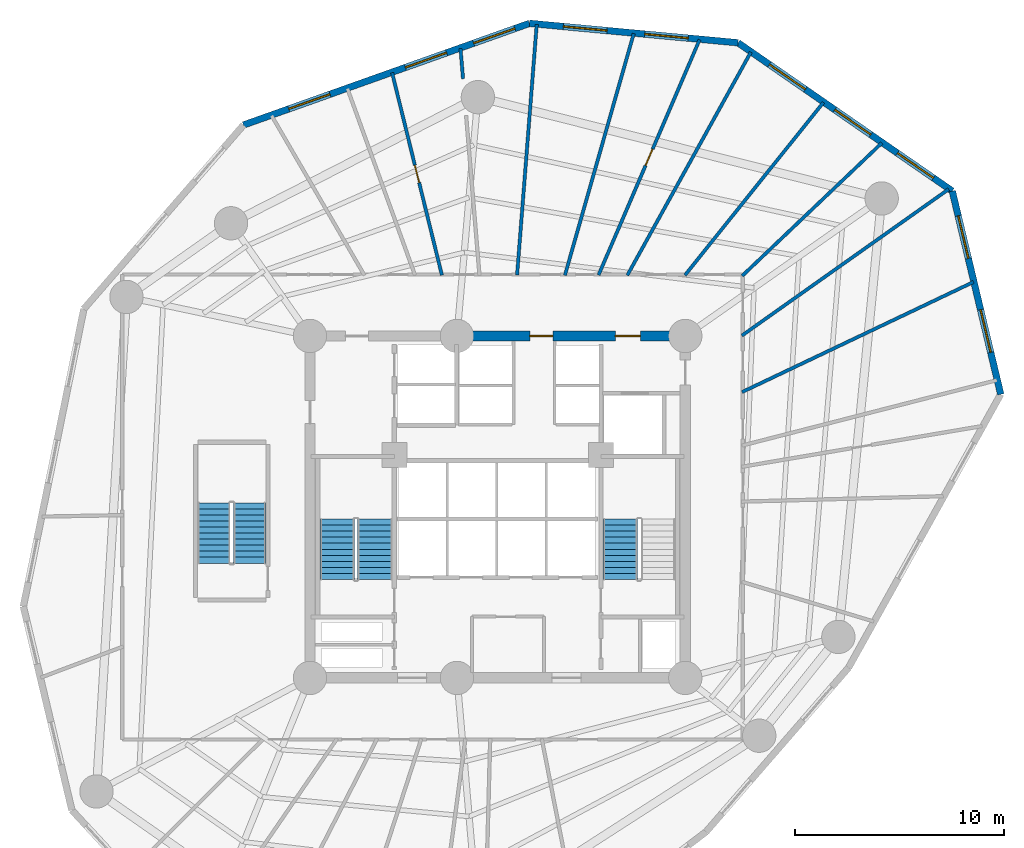
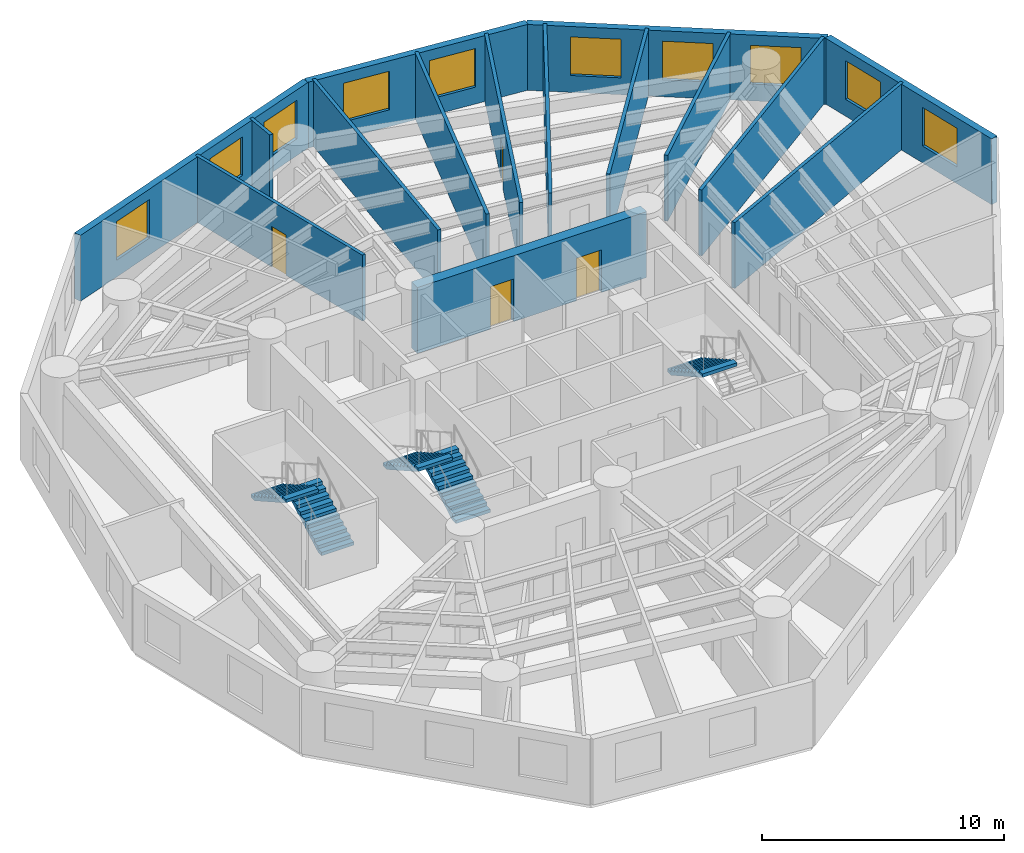
# One storey, part 6 of 8: 15 walls, 10 windows, 5 stair flights, 4 doors, 14 openings, 3 elements without a shape of their own.
"""IFC4 building model written with IfcOpenShell, lengths in metres."""

import ifcopenshell
import ifcopenshell.guid

model = None  # the IFC model being written
_history = None  # IfcOwnerHistory: only IFC2X3 demands one
_inside = {}  # id of a spatial element -> (the spatial element, [elements in it])
_under = {}  # id of a project, library or spatial element -> (it, [spatial elements below it])
_declared = {}  # id of a project -> (the project, [libraries it declares])
_typed = {}  # id of a type object -> (the type object, [elements of that type])
_made_of = {}  # id of a material, layer set ... -> (it, [elements and type objects made of it])


def new_model(schema):
    """Start an empty IFC model of exactly this schema.

    Asked for "IFC4X3", IfcOpenShell would pick the latest addendum, in which some entities
    have other attributes; the version numbers below select the first issue.
    IFC2X3 requires an IfcOwnerHistory on every rooted entity: one is made here for all.
    """
    global model, _history
    if schema == "IFC4X3":
        model = ifcopenshell.file(schema_version=(4, 3, 0, 0))
    else:
        model = ifcopenshell.file(schema=schema)
    _inside.clear()
    _under.clear()
    _declared.clear()
    _typed.clear()
    _made_of.clear()
    _history = None
    if model.schema == "IFC2X3":
        org = make("IfcOrganization", Name="unknown")
        user = make(
            "IfcPersonAndOrganization",
            ThePerson=make("IfcPerson", FamilyName="unknown"),
            TheOrganization=org,
        )
        app = make(
            "IfcApplication",
            ApplicationDeveloper=org,
            Version="unknown",
            ApplicationFullName="unknown",
            ApplicationIdentifier="unknown",
        )
        _history = make(
            "IfcOwnerHistory",
            OwningUser=user,
            OwningApplication=app,
            ChangeAction="ADDED",
            CreationDate=0,
        )
    return model


def make(cls, **values):
    """One entity of the class cls with the attributes given. An attribute that is None is left unset."""
    return model.create_entity(
        cls, **{name: value for name, value in values.items() if value is not None}
    )


def rooted(cls, **values):
    """An entity with a GlobalId (a new one), such as an element, a storey or a relation."""
    return make(cls, GlobalId=ifcopenshell.guid.new(), OwnerHistory=_history, **values)


def si_unit(unit_type, name, prefix=None):
    """IfcSIUnit, for example si_unit("LENGTHUNIT", "METRE", prefix="MILLI")."""
    return make("IfcSIUnit", UnitType=unit_type, Prefix=prefix, Name=name)


def assignment(units):
    """IfcUnitAssignment: the units of a project."""
    return None if units is None else make("IfcUnitAssignment", Units=units)


def point(xyz):
    """IfcCartesianPoint."""
    return None if xyz is None else make("IfcCartesianPoint", Coordinates=xyz)


def direction(xyz):
    """IfcDirection."""
    return None if xyz is None else make("IfcDirection", DirectionRatios=xyz)


def frame(location, z_axis=None, x_axis=None):
    """IfcAxis2Placement3D, a coordinate frame: its origin and axes. An axis left out is left unset."""
    return make(
        "IfcAxis2Placement3D",
        Location=point(location),
        Axis=direction(z_axis),
        RefDirection=direction(x_axis),
    )


def frame_2d(location, x_axis=None):
    """IfcAxis2Placement2D, a coordinate frame in the plane: its origin and x axis."""
    return make(
        "IfcAxis2Placement2D", Location=point(location), RefDirection=direction(x_axis)
    )


def origin():
    """The frame at (0, 0, 0) with its axes left unset."""
    return frame((0.0, 0.0, 0.0))


def origin_with_axes():
    """The frame at (0, 0, 0) with the z axis (0, 0, 1) and the x axis (1, 0, 0) written out."""
    return frame((0.0, 0.0, 0.0), z_axis=(0.0, 0.0, 1.0), x_axis=(1.0, 0.0, 0.0))


def place(relative_to, where):
    """IfcLocalPlacement: puts the frame where relative to a parent placement (None: the world)."""
    return make(
        "IfcLocalPlacement", PlacementRelTo=relative_to, RelativePlacement=where
    )


def context(
    kind, dimensions, precision=None, world=None, true_north=None, identifier=None
):
    """IfcGeometricRepresentationContext, for example the 3D "Model" context."""
    return make(
        "IfcGeometricRepresentationContext",
        ContextIdentifier=identifier,
        ContextType=kind,
        CoordinateSpaceDimension=dimensions,
        Precision=precision,
        WorldCoordinateSystem=world,
        TrueNorth=true_north,
    )


def subcontext(parent, identifier, kind, view, scale=None):
    """IfcGeometricRepresentationSubContext, for example "Body" below "Model"."""
    return make(
        "IfcGeometricRepresentationSubContext",
        ContextIdentifier=identifier,
        ContextType=kind,
        ParentContext=parent,
        TargetScale=scale,
        TargetView=view,
    )


def project(units=None, contexts=None):
    """IfcProject with its units and contexts."""
    return rooted(
        "IfcProject",
        Name="project",
        RepresentationContexts=contexts,
        UnitsInContext=assignment(units),
    )


def spatial(cls, under=None, at=None, **own):
    """A site, building, storey or space (cls), placed at a placement, below another one or the project."""
    s = rooted(cls, ObjectPlacement=at, **own)
    if under is not None:
        _under.setdefault(under.id(), (under, []))[1].append(s)
    return s


def polyline(points):
    """IfcPolyline through the points."""
    return make("IfcPolyline", Points=[point(p) for p in points])


def profile(cls, at=None, kind="AREA", **sizes):
    """A parametric profile (cls). Its sizes go by their IFC names, for example OverallWidth=200.0."""
    return make(cls, ProfileType=kind, Position=at, **sizes)


def rectangle(**sizes):
    """IfcRectangleProfileDef."""
    return profile("IfcRectangleProfileDef", **sizes)


def outline(outer, holes=None, kind="AREA"):
    """IfcArbitraryClosedProfileDef: a profile drawn as a closed curve; with holes, ...WithVoids."""
    if holes is None:
        return make("IfcArbitraryClosedProfileDef", ProfileType=kind, OuterCurve=outer)
    return make(
        "IfcArbitraryProfileDefWithVoids",
        ProfileType=kind,
        OuterCurve=outer,
        InnerCurves=holes,
    )


def extrude(swept, where, along, depth):
    """IfcExtrudedAreaSolid: the profile swept, set in the frame where, extruded along a direction by depth."""
    return make(
        "IfcExtrudedAreaSolid",
        SweptArea=swept,
        Position=where,
        ExtrudedDirection=direction(along),
        Depth=depth,
    )


def shape(context_of_items, identifier, shape_type, items):
    """IfcShapeRepresentation: the items that make up one representation, for example the "Body"."""
    return make(
        "IfcShapeRepresentation",
        ContextOfItems=context_of_items,
        RepresentationIdentifier=identifier,
        RepresentationType=shape_type,
        Items=items,
    )


def source(mapping_origin, context_of_items, identifier, shape_type, items):
    """IfcRepresentationMap: a shape defined once, which mapped items show again and again."""
    return make(
        "IfcRepresentationMap",
        MappingOrigin=mapping_origin,
        MappedRepresentation=shape(context_of_items, identifier, shape_type, items),
    )


def transform(
    local_origin,
    x_axis=None,
    y_axis=None,
    z_axis=None,
    scale=None,
    scale2=None,
    scale3=None,
    uniform=True,
):
    """IfcCartesianTransformationOperator3D, or its non-uniform kind. x_axis, y_axis, z_axis: its Axis1, 2, 3."""
    if uniform:
        return make(
            "IfcCartesianTransformationOperator3D",
            Axis1=direction(x_axis),
            Axis2=direction(y_axis),
            LocalOrigin=point(local_origin),
            Scale=scale,
            Axis3=direction(z_axis),
        )
    return make(
        "IfcCartesianTransformationOperator3DnonUniform",
        Axis1=direction(x_axis),
        Axis2=direction(y_axis),
        LocalOrigin=point(local_origin),
        Scale=scale,
        Axis3=direction(z_axis),
        Scale2=scale2,
        Scale3=scale3,
    )


def mapped(mapping_source, mapping_target):
    """IfcMappedItem: shows the shape of a source again, moved by a transform."""
    return make(
        "IfcMappedItem", MappingSource=mapping_source, MappingTarget=mapping_target
    )


def material(Name=None, Category=None):
    """IfcMaterial."""
    return make("IfcMaterial", Name=Name, Category=Category)


def layer(
    of_material, thickness, ventilated=None, Name=None, Category=None, Priority=None
):
    """IfcMaterialLayer: one layer of a wall or slab, of a material (None: an air gap)."""
    return make(
        "IfcMaterialLayer",
        Material=of_material,
        LayerThickness=thickness,
        IsVentilated=ventilated,
        Name=Name,
        Category=Category,
        Priority=Priority,
    )


def layer_set(layers, Name=None):
    """IfcMaterialLayerSet."""
    return make("IfcMaterialLayerSet", MaterialLayers=layers, LayerSetName=Name)


def made_of(thing, what):
    """Note that an element or type object is made of a material, layer set ...; save() writes the relation."""
    if what is not None:
        _made_of.setdefault(what.id(), (what, []))[1].append(thing)
    return thing


def type_object(cls, material=None, **own):
    """A type object (cls), such as IfcWallType, which elements share."""
    return made_of(rooted(cls, **own), material)


def element(
    cls,
    number,
    at=None,
    inside=None,
    cuts=None,
    type_object=None,
    material=None,
    context=None,
    identifier="Body",
    shape_type=None,
    held_by="IfcProductDefinitionShape",
    body=None,
    shapes=None,
    **own,
):
    """One element of the class cls, such as IfcWall. Its Tag is "e" and its number.

    at: its placement. inside: the storey or other place that contains it. cuts: it is an
    opening in that element (IfcRelVoidsElement). A single representation is given by context,
    identifier, shape_type and body (its items); several are given by shapes. held_by: the class
    of the entity that holds the representations. save() writes the other relations.
    """
    e = rooted(cls, Tag="e%d" % number, ObjectPlacement=at, **own)
    if body is not None:
        shapes = [shape(context, identifier, shape_type, body)]
    if shapes is not None:
        e.Representation = make(held_by, Representations=shapes)
    if inside is not None:
        _inside.setdefault(inside.id(), (inside, []))[1].append(e)
    if cuts is not None:
        rooted(
            "IfcRelVoidsElement", RelatingBuildingElement=cuts, RelatedOpeningElement=e
        )
    if type_object is not None:
        _typed.setdefault(type_object.id(), (type_object, []))[1].append(e)
    return made_of(e, material)


def fill(opening, filler):
    """IfcRelFillsElement: the door or window that sits in an opening."""
    return rooted(
        "IfcRelFillsElement",
        RelatingOpeningElement=opening,
        RelatedBuildingElement=filler,
    )


def aggregate(whole, parts):
    """IfcRelAggregates: a whole, such as a stair, and the parts it consists of."""
    return rooted("IfcRelAggregates", RelatingObject=whole, RelatedObjects=parts)


def save(model, path):
    """Write the relations noted so far, then the file.

    IfcRelAggregates (storeys below a building ...), IfcRelContainedInSpatialStructure (elements
    in a storey), IfcRelDefinesByType, IfcRelAssociatesMaterial and IfcRelDeclares: one each for
    every whole, place, type object, material and project.
    """
    for whole, parts in _under.values():
        aggregate(whole, parts)
    for where, things in _inside.values():
        rooted(
            "IfcRelContainedInSpatialStructure",
            RelatedElements=things,
            RelatingStructure=where,
        )
    for kind, things in _typed.values():
        rooted("IfcRelDefinesByType", RelatedObjects=things, RelatingType=kind)
    for what, things in _made_of.values():
        rooted("IfcRelAssociatesMaterial", RelatedObjects=things, RelatingMaterial=what)
    for by, libraries in _declared.values():
        rooted("IfcRelDeclares", RelatingContext=by, RelatedDefinitions=libraries)
    model.write(path)


model = new_model("IFC4")

# Units and contexts
model_context = context("Model", 3, precision=1e-05, world=origin(), true_north=direction((0.0, 1.0)))
body_context = subcontext(model_context, "Body", "Model", "MODEL_VIEW")
ifc_project = project(units=[si_unit("LENGTHUNIT", "METRE"), si_unit("AREAUNIT", "SQUARE_METRE"), si_unit("VOLUMEUNIT", "CUBIC_METRE"), si_unit("PLANEANGLEUNIT", "RADIAN"), si_unit("MASSUNIT", "GRAM", prefix="KILO")], contexts=[model_context])

# Site, building, storey
site_placement = place(None, origin())
site = spatial("IfcSite", under=ifc_project, at=site_placement, CompositionType="ELEMENT")
building_placement = place(site_placement, origin())
building = spatial("IfcBuilding", under=site, at=building_placement, Name="Karkom Vertical University and Central Library", CompositionType="ELEMENT")
storey_placement = place(building_placement, frame((0.0, 0.0, 84.10009765625)))
storey = spatial("IfcBuildingStorey", under=building, at=storey_placement, Name="L22", CompositionType="ELEMENT", Elevation=84.10009765625)

# Wall, openings, windows
ifc_material_1 = material(Name="Brick-faced precast concrete C45/55", Category="masonry")
ifc_layer_1 = layer(ifc_material_1, 0.320068359375)
ifc_layer_set_1 = layer_set([ifc_layer_1], Name="Brick-faced precast concrete C45/55")
wall_type_1 = type_object("IfcWallType", Name="ENV-WL-BRK-320", PredefinedType="SOLIDWALL", material=ifc_layer_set_1)
wall_1_placement = place(storey_placement, frame((52.63037109375, 31.9013671875, 0.0), z_axis=(0.0, 0.0, 1.0), x_axis=(-0.231781859675, 0.97276778808, 0.0)))
wall_1 = element("IfcWall", 1, at=wall_1_placement, inside=storey, type_object=wall_type_1, Name="Level 22 Brick-Faced Precast Facade Wall 09", PredefinedType="SOLIDWALL", context=body_context, shape_type="SweptSolid", body=[
    extrude(rectangle(XDim=10.0244140625, YDim=0.320068359375, at=frame_2d((5.01220703125, 0.0))), origin(), (0.0, 0.0, 1.0), 3.324951171875),
])
opening_1_placement = place(wall_1_placement, frame((2.0703125, 0.0, 0.85009765625)))
opening_1 = element("IfcOpeningElement", 2, at=opening_1_placement, cuts=wall_1, Name="Opening WN-03", PredefinedType="OPENING", context=body_context, shape_type="SweptSolid", body=[
    extrude(rectangle(XDim=2.10009765625, YDim=1.949951171875, at=frame_2d((1.050048828125, 0.97509765625))), frame((0.0, 0.169921875, 0.0), z_axis=(0.0, -1.0, 0.0), x_axis=(1.0, 0.0, 0.0)), (0.0, 0.0, 1.0), 0.340087890625),
])
opening_2_placement = place(wall_1_placement, frame((6.70068359375, 0.0, 0.85009765625)))
opening_2 = element("IfcOpeningElement", 3, at=opening_2_placement, cuts=wall_1, Name="Opening WN-03", PredefinedType="OPENING", context=body_context, shape_type="SweptSolid", body=[
    extrude(rectangle(XDim=2.10009765625, YDim=1.949951171875, at=frame_2d((1.050048828125, 0.97509765625))), frame((0.0, 0.169921875, 0.0), z_axis=(0.0, -1.0, 0.0), x_axis=(1.0, 0.0, 0.0)), (0.0, 0.0, 1.0), 0.340087890625),
])
ifc_material_2 = material(Name="Aluminium thermal-break frame with solar-control IGU", Category="aluminium")
window_type = type_object("IfcWindowType", Name="ENV-WIN-WN-03", PartitioningType="SINGLE_PANEL", PredefinedType="WINDOW", material=ifc_material_2)
shared_shape_1 = source(origin_with_axes(), body_context, "Body", "SweptSolid", [
    extrude(rectangle(XDim=2.10009765625, YDim=1.949951171875, at=frame_2d((1.050048828125, 0.97509765625))), frame((0.0, 0.030029296875, 0.0), z_axis=(0.0, -1.0, 0.0), x_axis=(1.0, 0.0, 0.0)), (0.0, 0.0, 1.0), 0.06005859375),
])
window_1_placement = place(opening_1_placement, origin())
window_1 = element("IfcWindow", 4, at=window_1_placement, inside=storey, type_object=window_type, Name="Level 22 Punched Window 9.1", OverallHeight=1.949951171875, OverallWidth=2.10009765625, PartitioningType="SINGLE_PANEL", PredefinedType="WINDOW", context=body_context, shape_type="MappedRepresentation", body=[
    mapped(shared_shape_1, transform((0.0, 0.0, 0.0), scale=1.0)),
])
fill(opening_1, window_1)
window_2_placement = place(opening_2_placement, origin())
window_2 = element("IfcWindow", 5, at=window_2_placement, inside=storey, type_object=window_type, Name="Level 22 Punched Window 9.2", OverallHeight=1.949951171875, OverallWidth=2.10009765625, PartitioningType="SINGLE_PANEL", PredefinedType="WINDOW", context=body_context, shape_type="MappedRepresentation", body=[
    mapped(shared_shape_1, transform((0.0, 0.0, 0.0), scale=1.0)),
])
fill(opening_2, window_2)

wall_2_placement = place(storey_placement, frame((50.306884765625, 41.65283203125, 0.0), z_axis=(0.0, 0.0, 1.0), x_axis=(-0.822301884345, 0.569051501187, 0.0)))
wall_2 = element("IfcWall", 6, at=wall_2_placement, inside=storey, type_object=wall_type_1, Name="Level 22 Brick-Faced Precast Facade Wall 10", PredefinedType="SOLIDWALL", context=body_context, shape_type="SweptSolid", body=[
    extrude(rectangle(XDim=12.49755859375, YDim=0.320068359375, at=frame_2d((6.248779296875, 0.0))), origin(), (0.0, 0.0, 1.0), 3.324951171875),
])
opening_3_placement = place(wall_2_placement, frame((1.102294921875, 0.0, 0.85009765625)))
opening_3 = element("IfcOpeningElement", 7, at=opening_3_placement, cuts=wall_2, Name="Opening WN-03", PredefinedType="OPENING", context=body_context, shape_type="SweptSolid", body=[
    extrude(rectangle(XDim=2.10009765625, YDim=1.949951171875, at=frame_2d((1.050048828125, 0.97509765625))), frame((0.0, 0.169921875, 0.0), z_axis=(0.0, -1.0, 0.0), x_axis=(1.0, 0.0, 0.0)), (0.0, 0.0, 1.0), 0.340087890625),
])
opening_4_placement = place(wall_2_placement, frame((4.7509765625, 0.0, 0.85009765625)))
opening_4 = element("IfcOpeningElement", 8, at=opening_4_placement, cuts=wall_2, Name="Opening WN-03", PredefinedType="OPENING", context=body_context, shape_type="SweptSolid", body=[
    extrude(rectangle(XDim=2.10009765625, YDim=1.949951171875, at=frame_2d((1.050048828125, 0.97509765625))), frame((0.0, 0.169921875, 0.0), z_axis=(0.0, -1.0, 0.0), x_axis=(1.0, 0.0, 0.0)), (0.0, 0.0, 1.0), 0.340087890625),
])
opening_5_placement = place(wall_2_placement, frame((8.567626953125, 0.0, 0.85009765625)))
opening_5 = element("IfcOpeningElement", 9, at=opening_5_placement, cuts=wall_2, Name="Opening WN-03", PredefinedType="OPENING", context=body_context, shape_type="SweptSolid", body=[
    extrude(rectangle(XDim=2.10009765625, YDim=1.949951171875, at=frame_2d((1.050048828125, 0.97509765625))), frame((0.0, 0.169921875, 0.0), z_axis=(0.0, -1.0, 0.0), x_axis=(1.0, 0.0, 0.0)), (0.0, 0.0, 1.0), 0.340087890625),
])
window_3_placement = place(opening_3_placement, origin())
window_3 = element("IfcWindow", 10, at=window_3_placement, inside=storey, type_object=window_type, Name="Level 22 Punched Window 10.1", OverallHeight=1.949951171875, OverallWidth=2.10009765625, PartitioningType="SINGLE_PANEL", PredefinedType="WINDOW", context=body_context, shape_type="MappedRepresentation", body=[
    mapped(shared_shape_1, transform((0.0, 0.0, 0.0), scale=1.0)),
])
fill(opening_3, window_3)
window_4_placement = place(opening_4_placement, origin())
window_4 = element("IfcWindow", 11, at=window_4_placement, inside=storey, type_object=window_type, Name="Level 22 Punched Window 10.2", OverallHeight=1.949951171875, OverallWidth=2.10009765625, PartitioningType="SINGLE_PANEL", PredefinedType="WINDOW", context=body_context, shape_type="MappedRepresentation", body=[
    mapped(shared_shape_1, transform((0.0, 0.0, 0.0), scale=1.0)),
])
fill(opening_4, window_4)
window_5_placement = place(opening_5_placement, origin())
window_5 = element("IfcWindow", 12, at=window_5_placement, inside=storey, type_object=window_type, Name="Level 22 Punched Window 10.3", OverallHeight=1.949951171875, OverallWidth=2.10009765625, PartitioningType="SINGLE_PANEL", PredefinedType="WINDOW", context=body_context, shape_type="MappedRepresentation", body=[
    mapped(shared_shape_1, transform((0.0, 0.0, 0.0), scale=1.0)),
])
fill(opening_5, window_5)

wall_3_placement = place(storey_placement, frame((40.030029296875, 48.7646484375, 0.0), z_axis=(0.0, 0.0, 1.0), x_axis=(-0.995690576349, 0.092737673949, 0.0)))
wall_3 = element("IfcWall", 13, at=wall_3_placement, inside=storey, type_object=wall_type_1, Name="Level 22 Brick-Faced Precast Facade Wall 11", PredefinedType="SOLIDWALL", context=body_context, shape_type="SweptSolid", body=[
    extrude(rectangle(XDim=10.0458984375, YDim=0.320068359375, at=frame_2d((5.02294921875, 0.0))), origin(), (0.0, 0.0, 1.0), 3.324951171875),
])
opening_6_placement = place(wall_3_placement, frame((2.39404296875, 0.0, 0.85009765625)))
opening_6 = element("IfcOpeningElement", 14, at=opening_6_placement, cuts=wall_3, Name="Opening WN-03", PredefinedType="OPENING", context=body_context, shape_type="SweptSolid", body=[
    extrude(rectangle(XDim=2.10009765625, YDim=1.949951171875, at=frame_2d((1.050048828125, 0.97509765625))), frame((0.0, 0.169921875, 0.0), z_axis=(0.0, -1.0, 0.0), x_axis=(1.0, 0.0, 0.0)), (0.0, 0.0, 1.0), 0.340087890625),
])
opening_7_placement = place(wall_3_placement, frame((6.310546875, 0.0, 0.85009765625)))
opening_7 = element("IfcOpeningElement", 15, at=opening_7_placement, cuts=wall_3, Name="Opening WN-03", PredefinedType="OPENING", context=body_context, shape_type="SweptSolid", body=[
    extrude(rectangle(XDim=2.10009765625, YDim=1.949951171875, at=frame_2d((1.050048828125, 0.97509765625))), frame((0.0, 0.169921875, 0.0), z_axis=(0.0, -1.0, 0.0), x_axis=(1.0, 0.0, 0.0)), (0.0, 0.0, 1.0), 0.340087890625),
])
window_6_placement = place(opening_6_placement, origin())
window_6 = element("IfcWindow", 16, at=window_6_placement, inside=storey, type_object=window_type, Name="Level 22 Punched Window 11.1", OverallHeight=1.949951171875, OverallWidth=2.10009765625, PartitioningType="SINGLE_PANEL", PredefinedType="WINDOW", context=body_context, shape_type="MappedRepresentation", body=[
    mapped(shared_shape_1, transform((0.0, 0.0, 0.0), scale=1.0)),
])
fill(opening_6, window_6)
window_7_placement = place(opening_7_placement, origin())
window_7 = element("IfcWindow", 17, at=window_7_placement, inside=storey, type_object=window_type, Name="Level 22 Punched Window 11.2", OverallHeight=1.949951171875, OverallWidth=2.10009765625, PartitioningType="SINGLE_PANEL", PredefinedType="WINDOW", context=body_context, shape_type="MappedRepresentation", body=[
    mapped(shared_shape_1, transform((0.0, 0.0, 0.0), scale=1.0)),
])
fill(opening_7, window_7)

wall_4_placement = place(storey_placement, frame((30.02734375, 49.6962890625, 0.0), z_axis=(0.0, 0.0, 1.0), x_axis=(-0.942240443112, -0.334937228991, 0.0)))
wall_4 = element("IfcWall", 18, at=wall_4_placement, inside=storey, type_object=wall_type_1, Name="Level 22 Brick-Faced Precast Facade Wall 12", PredefinedType="SOLIDWALL", context=body_context, shape_type="SweptSolid", body=[
    extrude(rectangle(XDim=14.5615234375, YDim=0.320068359375, at=frame_2d((7.28076171875, 0.0))), origin(), (0.0, 0.0, 1.0), 3.324951171875),
])
opening_8_placement = place(wall_4_placement, frame((0.74462890625, 0.0, 0.85009765625)))
opening_8 = element("IfcOpeningElement", 19, at=opening_8_placement, cuts=wall_4, Name="Opening WN-03", PredefinedType="OPENING", context=body_context, shape_type="SweptSolid", body=[
    extrude(rectangle(XDim=2.10009765625, YDim=1.949951171875, at=frame_2d((1.050048828125, 0.97509765625))), frame((0.0, 0.169921875, 0.0), z_axis=(0.0, -1.0, 0.0), x_axis=(1.0, 0.0, 0.0)), (0.0, 0.0, 1.0), 0.340087890625),
])
opening_9_placement = place(wall_4_placement, frame((4.21728515625, 0.0, 0.85009765625)))
opening_9 = element("IfcOpeningElement", 20, at=opening_9_placement, cuts=wall_4, Name="Opening WN-03", PredefinedType="OPENING", context=body_context, shape_type="SweptSolid", body=[
    extrude(rectangle(XDim=2.10009765625, YDim=1.949951171875, at=frame_2d((1.050048828125, 0.97509765625))), frame((0.0, 0.169921875, 0.0), z_axis=(0.0, -1.0, 0.0), x_axis=(1.0, 0.0, 0.0)), (0.0, 0.0, 1.0), 0.340087890625),
])
opening_10_placement = place(wall_4_placement, frame((10.153076171875, 0.0, 0.85009765625)))
opening_10 = element("IfcOpeningElement", 21, at=opening_10_placement, cuts=wall_4, Name="Opening WN-03", PredefinedType="OPENING", context=body_context, shape_type="SweptSolid", body=[
    extrude(rectangle(XDim=2.10009765625, YDim=1.949951171875, at=frame_2d((1.050048828125, 0.97509765625))), frame((0.0, 0.169921875, 0.0), z_axis=(0.0, -1.0, 0.0), x_axis=(1.0, 0.0, 0.0)), (0.0, 0.0, 1.0), 0.340087890625),
])
window_8_placement = place(opening_8_placement, origin())
window_8 = element("IfcWindow", 22, at=window_8_placement, inside=storey, type_object=window_type, Name="Level 22 Punched Window 12.1", OverallHeight=1.949951171875, OverallWidth=2.10009765625, PartitioningType="SINGLE_PANEL", PredefinedType="WINDOW", context=body_context, shape_type="MappedRepresentation", body=[
    mapped(shared_shape_1, transform((0.0, 0.0, 0.0), scale=1.0)),
])
fill(opening_8, window_8)
window_9_placement = place(opening_9_placement, origin())
window_9 = element("IfcWindow", 23, at=window_9_placement, inside=storey, type_object=window_type, Name="Level 22 Punched Window 12.2", OverallHeight=1.949951171875, OverallWidth=2.10009765625, PartitioningType="SINGLE_PANEL", PredefinedType="WINDOW", context=body_context, shape_type="MappedRepresentation", body=[
    mapped(shared_shape_1, transform((0.0, 0.0, 0.0), scale=1.0)),
])
fill(opening_9, window_9)
window_10_placement = place(opening_10_placement, origin())
window_10 = element("IfcWindow", 24, at=window_10_placement, inside=storey, type_object=window_type, Name="Level 22 Punched Window 12.3", OverallHeight=1.949951171875, OverallWidth=2.10009765625, PartitioningType="SINGLE_PANEL", PredefinedType="WINDOW", context=body_context, shape_type="MappedRepresentation", body=[
    mapped(shared_shape_1, transform((0.0, 0.0, 0.0), scale=1.0)),
])
fill(opening_10, window_10)

# Wall
ifc_material_3 = material(Name="Insulated metal-stud drywall 160mm", Category="gypsum")
ifc_layer_2 = layer(ifc_material_3, 0.159912109375)
ifc_layer_set_2 = layer_set([ifc_layer_2], Name="Insulated metal-stud drywall 160mm")
wall_type_2 = type_object("IfcWallType", Name="INT-WL-COR-160", PredefinedType="PARTITIONING", material=ifc_layer_set_2)
wall_5_placement = place(storey_placement, frame((40.222900390625, 32.010009765625, 0.0), z_axis=(0.0, 0.0, 1.0), x_axis=(0.903036353233, 0.429564133443, 0.0)))
element("IfcWall", 25, at=wall_5_placement, inside=storey, type_object=wall_type_2, Name="Level 22 Interior Partition Wall L22-PW-016", PredefinedType="PARTITIONING", context=body_context, shape_type="SweptSolid", body=[
    extrude(rectangle(XDim=12.2880859375, YDim=0.159912109375, at=frame_2d((6.14404296875, 0.0))), origin(), (0.0, 0.0, 1.0), 3.324951171875),
])

# Wall, opening, door
wall_6_placement = place(storey_placement, frame((33.34033203125, 37.622314453125, 0.0), z_axis=(0.0, 0.0, 1.0), x_axis=(0.394497394223, 0.918897059496, 0.0)))
wall_6 = element("IfcWall", 26, at=wall_6_placement, inside=storey, type_object=wall_type_2, Name="Level 22 Interior Partition Wall L22-PW-021", PredefinedType="PARTITIONING", context=body_context, shape_type="SweptSolid", body=[
    extrude(rectangle(XDim=12.281982421875, YDim=0.159912109375, at=frame_2d((6.14111328125, 0.0))), origin(), (0.0, 0.0, 1.0), 3.324951171875),
])
opening_11_placement = place(wall_6_placement, frame((5.7109375, 0.0, 0.0)))
opening_11 = element("IfcOpeningElement", 27, at=opening_11_placement, cuts=wall_6, Name="Opening FD-BTH2", PredefinedType="OPENING", context=body_context, shape_type="SweptSolid", body=[
    extrude(rectangle(XDim=0.860107421875, YDim=2.0400390625, at=frame_2d((0.43017578125, 1.02001953125))), frame((0.0, 0.08984375, 0.0), z_axis=(0.0, -1.0, 0.0), x_axis=(1.0, 0.0, 0.0)), (0.0, 0.0, 1.0), 0.179931640625),
])
ifc_material_4 = material(Name="Fire-rated moisture-resistant oak door", Category="wood")
door_type_1 = type_object("IfcDoorType", Name="INT-DR-FBTH2", OperationType="NOTDEFINED", PredefinedType="DOOR", material=ifc_material_4)
shared_shape_2 = source(origin_with_axes(), body_context, "Body", "SweptSolid", [
    extrude(rectangle(XDim=0.860107421875, YDim=2.0400390625, at=frame_2d((0.43017578125, 1.02001953125))), frame((0.0, 0.02490234375, 0.0), z_axis=(0.0, -1.0, 0.0), x_axis=(1.0, 0.0, 0.0)), (0.0, 0.0, 1.0), 0.050048828125),
])
door_1_placement = place(opening_11_placement, origin())
door_1 = element("IfcDoor", 28, at=door_1_placement, inside=storey, type_object=door_type_1, Name="Level 22 Academic Collaborative Study Lounge Entry Door", OperationType="SINGLE_SWING_LEFT", OverallHeight=2.0400390625, OverallWidth=0.860107421875, PredefinedType="DOOR", context=body_context, shape_type="MappedRepresentation", body=[
    mapped(shared_shape_2, transform((0.0, 0.0, 0.0), scale=1.0)),
])
fill(opening_11, door_1)

# Walls
wall_7_placement = place(storey_placement, frame((34.719482421875, 37.610595703125, 0.0), z_axis=(0.0, 0.0, 1.0), x_axis=(0.484350809967, 0.874873872558, 0.0)))
element("IfcWall", 29, at=wall_7_placement, inside=storey, type_object=wall_type_2, Name="Level 22 Interior Partition Wall L22-PW-020", PredefinedType="PARTITIONING", context=body_context, shape_type="SweptSolid", body=[
    extrude(rectangle(XDim=12.2294921875, YDim=0.159912109375, at=frame_2d((6.11474609375, 0.0))), origin(), (0.0, 0.0, 1.0), 3.324951171875),
])
wall_8_placement = place(storey_placement, frame((40.21337890625, 34.718505859375, 0.0), z_axis=(0.0, 0.0, 1.0), x_axis=(0.816182001631, 0.577794894589, 0.0)))
element("IfcWall", 30, at=wall_8_placement, inside=storey, type_object=wall_type_2, Name="Level 22 Interior Partition Wall L22-PW-017", PredefinedType="PARTITIONING", context=body_context, shape_type="SweptSolid", body=[
    extrude(rectangle(XDim=12.1513671875, YDim=0.159912109375, at=frame_2d((6.07568359375, 0.0))), origin(), (0.0, 0.0, 1.0), 3.324951171875),
])
wall_9_placement = place(storey_placement, frame((29.432373046875, 37.6201171875, 0.0), z_axis=(0.0, 0.0, 1.0), x_axis=(0.078190850659, 0.996938408766, 0.0)))
element("IfcWall", 31, at=wall_9_placement, inside=storey, type_object=wall_type_2, Name="Level 22 Interior Partition Wall L22-PW-023", PredefinedType="PARTITIONING", context=body_context, shape_type="SweptSolid", body=[
    extrude(rectangle(XDim=12.055419921875, YDim=0.159912109375, at=frame_2d((6.02783203125, 0.0))), origin(), (0.0, 0.0, 1.0), 3.324951171875),
])
wall_10_placement = place(storey_placement, frame((31.7255859375, 37.606689453125, 0.0), z_axis=(0.0, 0.0, 1.0), x_axis=(0.273886739983, 0.9617619527, 0.0)))
element("IfcWall", 32, at=wall_10_placement, inside=storey, type_object=wall_type_2, Name="Level 22 Interior Partition Wall L22-PW-022", PredefinedType="PARTITIONING", context=body_context, shape_type="SweptSolid", body=[
    extrude(rectangle(XDim=12.058837890625, YDim=0.159912109375, at=frame_2d((6.029296875, 0.0))), origin(), (0.0, 0.0, 1.0), 3.324951171875),
])
wall_11_placement = place(storey_placement, frame((37.484375, 37.614990234375, 0.0), z_axis=(0.0, 0.0, 1.0), x_axis=(0.625362175686, 0.780334639255, 0.0)))
element("IfcWall", 33, at=wall_11_placement, inside=storey, type_object=wall_type_2, Name="Level 22 Interior Partition Wall L22-PW-019", PredefinedType="PARTITIONING", context=body_context, shape_type="SweptSolid", body=[
    extrude(rectangle(XDim=10.6181640625, YDim=0.159912109375, at=frame_2d((5.30908203125, 0.0))), origin(), (0.0, 0.0, 1.0), 3.324951171875),
])

# Wall, opening, door
wall_12_placement = place(storey_placement, frame((25.826416015625, 37.620849609375, 0.0), z_axis=(0.0, 0.0, 1.0), x_axis=(-0.238844378247, 0.971057857689, 0.0)))
wall_12 = element("IfcWall", 34, at=wall_12_placement, inside=storey, type_object=wall_type_2, Name="Level 22 Interior Partition Wall L22-PW-026", PredefinedType="PARTITIONING", context=body_context, shape_type="SweptSolid", body=[
    extrude(rectangle(XDim=9.995849609375, YDim=0.159912109375, at=frame_2d((4.998046875, 0.0))), origin(), (0.0, 0.0, 1.0), 3.324951171875),
])
opening_12_placement = place(wall_12_placement, frame((4.56787109375, 0.0, 0.0)))
opening_12 = element("IfcOpeningElement", 35, at=opening_12_placement, cuts=wall_12, Name="Opening FD-BTH2", PredefinedType="OPENING", context=body_context, shape_type="SweptSolid", body=[
    extrude(rectangle(XDim=0.860107421875, YDim=2.0400390625, at=frame_2d((0.43017578125, 1.02001953125))), frame((0.0, 0.08984375, 0.0), z_axis=(0.0, -1.0, 0.0), x_axis=(1.0, 0.0, 0.0)), (0.0, 0.0, 1.0), 0.179931640625),
])
door_2_placement = place(opening_12_placement, origin())
door_2 = element("IfcDoor", 36, at=door_2_placement, inside=storey, type_object=door_type_1, Name="Level 22 Faculty Consultation and Research Office Entry Door", OperationType="SINGLE_SWING_RIGHT", OverallHeight=2.0400390625, OverallWidth=0.860107421875, PredefinedType="DOOR", context=body_context, shape_type="MappedRepresentation", body=[
    mapped(shared_shape_2, transform((0.0, 0.0, 0.0), scale=1.0)),
])
fill(opening_12, door_2)

# Walls
wall_13_placement = place(storey_placement, frame((40.228271484375, 37.581787109375, 0.0), z_axis=(0.0, 0.0, 1.0), x_axis=(0.724299857795, 0.689485109337, 0.0)))
element("IfcWall", 37, at=wall_13_placement, inside=storey, type_object=wall_type_2, Name="Level 22 Interior Partition Wall L22-PW-018", PredefinedType="PARTITIONING", context=body_context, shape_type="SweptSolid", body=[
    extrude(rectangle(XDim=9.24951171875, YDim=0.159912109375, at=frame_2d((4.624755859375, 0.0))), origin(), (0.0, 0.0, 1.0), 3.324951171875),
])
wall_14_placement = place(storey_placement, frame((26.841064453125, 47.035888671875, 0.0), z_axis=(0.0, 0.0, 1.0), x_axis=(-0.083405123378, 0.996515722603, 0.0)))
element("IfcWall", 38, at=wall_14_placement, inside=storey, type_object=wall_type_2, Name="Level 22 Interior Partition Wall L22-PW-025", PredefinedType="PARTITIONING", context=body_context, shape_type="SweptSolid", body=[
    extrude(rectangle(XDim=1.460693359375, YDim=0.159912109375, at=frame_2d((0.73046875, 0.0))), origin(), (0.0, 0.0, 1.0), 3.324951171875),
])

# Wall, openings, doors
ifc_material_5 = material(Name="Concrete C50/60", Category="concrete")
ifc_layer_3 = layer(ifc_material_5, 0.5)
ifc_layer_set_3 = layer_set([ifc_layer_3], Name="Concrete C50/60")
wall_type_3 = type_object("IfcWallType", Name="STR-WL-CW-500", PredefinedType="SHEAR", material=ifc_layer_set_3)
wall_15_placement = place(storey_placement, frame((37.5, 34.699951171875, 0.0), z_axis=(0.0, 0.0, 1.0), x_axis=(-1.0, 0.0, 0.0)))
wall_15 = element("IfcWall", 39, at=wall_15_placement, inside=storey, type_object=wall_type_3, Name="Level 22 Central Core Shear Wall NW1", PredefinedType="SHEAR", context=body_context, shape_type="SweptSolid", body=[
    extrude(rectangle(XDim=10.949951171875, YDim=0.5, at=frame_2d((5.47509765625, 0.0))), origin(), (0.0, 0.0, 1.0), 3.324951171875),
])
opening_13_placement = place(wall_15_placement, frame((2.14990234375, 0.0, 0.0)))
opening_13 = element("IfcOpeningElement", 40, at=opening_13_placement, cuts=wall_15, Name="Opening FD-SUB1", PredefinedType="OPENING", context=body_context, shape_type="SweptSolid", body=[
    extrude(rectangle(XDim=1.199951171875, YDim=2.14990234375, at=frame_2d((0.60009765625, 1.074951171875))), frame((0.0, 0.260009765625, 0.0), z_axis=(0.0, -1.0, 0.0), x_axis=(1.0, 0.0, 0.0)), (0.0, 0.0, 1.0), 0.52001953125),
])
opening_14_placement = place(wall_15_placement, frame((6.35009765625, 0.0, 0.0)))
opening_14 = element("IfcOpeningElement", 41, at=opening_14_placement, cuts=wall_15, Name="Opening FD-FFL", PredefinedType="OPENING", context=body_context, shape_type="SweptSolid", body=[
    extrude(rectangle(XDim=1.10009765625, YDim=2.14990234375, at=frame_2d((0.550048828125, 1.074951171875))), frame((0.0, 0.260009765625, 0.0), z_axis=(0.0, -1.0, 0.0), x_axis=(1.0, 0.0, 0.0)), (0.0, 0.0, 1.0), 0.52001953125),
])
ifc_material_6 = material(Name="Painted steel smoke-seal fire door", Category="steel")
door_type_2 = type_object("IfcDoorType", Name="INT-DR-FFL", OperationType="NOTDEFINED", PredefinedType="DOOR", material=ifc_material_6)
shared_shape_3 = source(origin_with_axes(), body_context, "Body", "SweptSolid", [
    extrude(rectangle(XDim=1.10009765625, YDim=2.14990234375, at=frame_2d((0.550048828125, 1.074951171875))), frame((0.0, 0.02490234375, 0.0), z_axis=(0.0, -1.0, 0.0), x_axis=(1.0, 0.0, 0.0)), (0.0, 0.0, 1.0), 0.050048828125),
])
door_3_placement = place(opening_14_placement, origin())
door_3 = element("IfcDoor", 42, at=door_3_placement, inside=storey, type_object=door_type_2, Name="Level 22 North Core Lobby Exit Door", OperationType="SINGLE_SWING_RIGHT", OverallHeight=2.14990234375, OverallWidth=1.10009765625, PredefinedType="DOOR", context=body_context, shape_type="MappedRepresentation", body=[
    mapped(shared_shape_3, transform((0.0, 0.0, 0.0), scale=1.0)),
])
fill(opening_14, door_3)
ifc_material_7 = material(Name="Painted steel fire door", Category="steel")
door_type_3 = type_object("IfcDoorType", Name="INT-DR-SUB1", OperationType="NOTDEFINED", PredefinedType="DOOR", material=ifc_material_7)
shared_shape_4 = source(origin_with_axes(), body_context, "Body", "SweptSolid", [
    extrude(rectangle(XDim=1.199951171875, YDim=2.14990234375, at=frame_2d((0.60009765625, 1.074951171875))), frame((0.0, 0.02490234375, 0.0), z_axis=(0.0, -1.0, 0.0), x_axis=(1.0, 0.0, 0.0)), (0.0, 0.0, 1.0), 0.050048828125),
])
door_4_placement = place(opening_13_placement, origin())
door_4 = element("IfcDoor", 43, at=door_4_placement, inside=storey, type_object=door_type_3, Name="Level 22 Service Lobby Fire Door", OperationType="SINGLE_SWING_LEFT", OverallHeight=2.14990234375, OverallWidth=1.199951171875, PredefinedType="DOOR", context=body_context, shape_type="MappedRepresentation", body=[
    mapped(shared_shape_4, transform((0.0, 0.0, 0.0), scale=1.0)),
])
fill(opening_13, door_4)

# Stair, stair flights
ifc_material_8 = material(Name="Concrete C45/55", Category="concrete")
stair_type_1 = type_object("IfcStairType", Name="INT-STR-ST-MAIN", PredefinedType="HALF_TURN_STAIR", material=ifc_material_8)
stair_1_placement = place(storey_placement, origin())
stair_1 = element("IfcStair", 44, at=stair_1_placement, inside=storey, type_object=stair_type_1, Name="Level 22 Tower Protected Exit Stair ST-1", PredefinedType="HALF_TURN_STAIR")
stair_flight_type_1 = type_object("IfcStairFlightType", Name="INT-SFL-ST-MAIN", PredefinedType="STRAIGHT", material=ifc_material_8)
stair_flight_1_placement = place(storey_placement, frame((22.614990234375, 23.02001953125, 0.0), z_axis=(0.0, 0.0, 1.0), x_axis=(0.0, 1.0, 0.0)))
stair_flight_1 = element("IfcStairFlight", 45, at=stair_flight_1_placement, type_object=stair_flight_type_1, Name="ST-1 flight 1", NumberOfRisers=11, NumberOfTreads=10, PredefinedType="STRAIGHT", RiserHeight=0.163636364, TreadLength=0.29, context=body_context, shape_type="SweptSolid", body=[
    extrude(outline(polyline([(0.0, 0.0), (0.0, 0.16357421875), (0.2900390625, 0.16357421875), (0.2900390625, 0.327392578125), (0.580078125, 0.327392578125), (0.580078125, 0.490966796875), (0.8701171875, 0.490966796875), (0.8701171875, 0.654541015625), (1.159912109375, 0.654541015625), (1.159912109375, 0.818115234375), (1.449951171875, 0.818115234375), (1.449951171875, 0.98193359375), (1.739990234375, 0.98193359375), (1.739990234375, 1.1455078125), (2.030029296875, 1.1455078125), (2.030029296875, 1.30908203125), (2.320068359375, 1.30908203125), (2.320068359375, 1.47265625), (2.610107421875, 1.47265625), (2.610107421875, 1.636474609375), (2.89990234375, 1.636474609375), (2.89990234375, 1.800048828125), (2.89990234375, 1.46435546875), (0.304931640625, 0.0), (0.0, 0.0)])), frame((0.0, 0.824951171875, 0.0), z_axis=(0.0, -1.0, 0.0), x_axis=(1.0, 0.0, 0.0)), (0.0, 0.0, 1.0), 1.64990234375),
])
stair_flight_2_placement = place(storey_placement, frame((20.804931640625, 25.919921875, 1.7998046875), z_axis=(0.0, 0.0, 1.0), x_axis=(0.0, -1.0, 0.0)))
stair_flight_2 = element("IfcStairFlight", 46, at=stair_flight_2_placement, type_object=stair_flight_type_1, Name="ST-1 flight 2", NumberOfRisers=11, NumberOfTreads=10, PredefinedType="STRAIGHT", RiserHeight=0.163636364, TreadLength=0.29, context=body_context, shape_type="SweptSolid", body=[
    extrude(outline(polyline([(0.0, 0.0), (0.0, 0.16357421875), (0.2900390625, 0.16357421875), (0.2900390625, 0.327392578125), (0.580078125, 0.327392578125), (0.580078125, 0.490966796875), (0.8701171875, 0.490966796875), (0.8701171875, 0.654541015625), (1.159912109375, 0.654541015625), (1.159912109375, 0.818115234375), (1.449951171875, 0.818115234375), (1.449951171875, 0.98193359375), (1.739990234375, 0.98193359375), (1.739990234375, 1.1455078125), (2.030029296875, 1.1455078125), (2.030029296875, 1.30908203125), (2.320068359375, 1.30908203125), (2.320068359375, 1.47265625), (2.610107421875, 1.47265625), (2.610107421875, 1.636474609375), (2.89990234375, 1.636474609375), (2.89990234375, 1.800048828125), (2.89990234375, 1.46435546875), (0.304931640625, 0.0), (0.0, 0.0)])), frame((0.0, 0.824951171875, 0.0), z_axis=(0.0, -1.0, 0.0), x_axis=(1.0, 0.0, 0.0)), (0.0, 0.0, 1.0), 1.64990234375),
])
aggregate(stair_1, [stair_flight_1, stair_flight_2])

# Stair, stair flight
stair_2_placement = place(storey_placement, origin())
stair_2 = element("IfcStair", 47, at=stair_2_placement, inside=storey, type_object=stair_type_1, Name="Level 22 Tower Protected Exit Stair ST-2", PredefinedType="HALF_TURN_STAIR")
stair_flight_3_placement = place(storey_placement, frame((34.385009765625, 25.919921875, 1.7998046875), z_axis=(0.0, 0.0, 1.0), x_axis=(0.0, -1.0, 0.0)))
stair_flight_3 = element("IfcStairFlight", 48, at=stair_flight_3_placement, type_object=stair_flight_type_1, Name="ST-2 flight 2", NumberOfRisers=11, NumberOfTreads=10, PredefinedType="STRAIGHT", RiserHeight=0.163636364, TreadLength=0.29, context=body_context, shape_type="SweptSolid", body=[
    extrude(outline(polyline([(0.0, 0.0), (0.0, 0.16357421875), (0.2900390625, 0.16357421875), (0.2900390625, 0.327392578125), (0.580078125, 0.327392578125), (0.580078125, 0.490966796875), (0.8701171875, 0.490966796875), (0.8701171875, 0.654541015625), (1.159912109375, 0.654541015625), (1.159912109375, 0.818115234375), (1.449951171875, 0.818115234375), (1.449951171875, 0.98193359375), (1.739990234375, 0.98193359375), (1.739990234375, 1.1455078125), (2.030029296875, 1.1455078125), (2.030029296875, 1.30908203125), (2.320068359375, 1.30908203125), (2.320068359375, 1.47265625), (2.610107421875, 1.47265625), (2.610107421875, 1.636474609375), (2.89990234375, 1.636474609375), (2.89990234375, 1.800048828125), (2.89990234375, 1.46435546875), (0.304931640625, 0.0), (0.0, 0.0)])), frame((0.0, 0.824951171875, 0.0), z_axis=(0.0, -1.0, 0.0), x_axis=(1.0, 0.0, 0.0)), (0.0, 0.0, 1.0), 1.64990234375),
])
aggregate(stair_2, [stair_flight_3])

# Stair, stair flights
stair_type_2 = type_object("IfcStairType", Name="INT-STR-ST-SEC", PredefinedType="HALF_TURN_STAIR", material=ifc_material_8)
stair_3_placement = place(storey_placement, origin())
stair_3 = element("IfcStair", 49, at=stair_3_placement, inside=storey, type_object=stair_type_2, Name="Level 22 Academic Zone Protected Exit Stair ST-3", PredefinedType="HALF_TURN_STAIR")
stair_flight_type_2 = type_object("IfcStairFlightType", Name="INT-SFL-ST-SEC", PredefinedType="STRAIGHT", material=ifc_material_8)
stair_flight_4_placement = place(storey_placement, frame((16.60498046875, 23.800048828125, 0.0), z_axis=(0.0, 0.0, 1.0), x_axis=(0.0, 1.0, 0.0)))
stair_flight_4 = element("IfcStairFlight", 50, at=stair_flight_4_placement, type_object=stair_flight_type_2, Name="ST-3 flight 1", NumberOfRisers=11, NumberOfTreads=10, PredefinedType="STRAIGHT", RiserHeight=0.163636364, TreadLength=0.29, context=body_context, shape_type="SweptSolid", body=[
    extrude(outline(polyline([(0.0, 0.0), (0.0, 0.16357421875), (0.2900390625, 0.16357421875), (0.2900390625, 0.327392578125), (0.580078125, 0.327392578125), (0.580078125, 0.490966796875), (0.8701171875, 0.490966796875), (0.8701171875, 0.654541015625), (1.159912109375, 0.654541015625), (1.159912109375, 0.818115234375), (1.449951171875, 0.818115234375), (1.449951171875, 0.98193359375), (1.739990234375, 0.98193359375), (1.739990234375, 1.1455078125), (2.030029296875, 1.1455078125), (2.030029296875, 1.30908203125), (2.320068359375, 1.30908203125), (2.320068359375, 1.47265625), (2.610107421875, 1.47265625), (2.610107421875, 1.636474609375), (2.89990234375, 1.636474609375), (2.89990234375, 1.800048828125), (2.89990234375, 1.46435546875), (0.304931640625, 0.0), (0.0, 0.0)])), frame((0.0, 0.77490234375, 0.0), z_axis=(0.0, -1.0, 0.0), x_axis=(1.0, 0.0, 0.0)), (0.0, 0.0, 1.0), 1.550048828125),
])
stair_flight_5_placement = place(storey_placement, frame((14.89501953125, 26.699951171875, 1.7998046875), z_axis=(0.0, 0.0, 1.0), x_axis=(0.0, -1.0, 0.0)))
stair_flight_5 = element("IfcStairFlight", 51, at=stair_flight_5_placement, type_object=stair_flight_type_2, Name="ST-3 flight 2", NumberOfRisers=11, NumberOfTreads=10, PredefinedType="STRAIGHT", RiserHeight=0.163636364, TreadLength=0.29, context=body_context, shape_type="SweptSolid", body=[
    extrude(outline(polyline([(0.0, 0.0), (0.0, 0.16357421875), (0.2900390625, 0.16357421875), (0.2900390625, 0.327392578125), (0.580078125, 0.327392578125), (0.580078125, 0.490966796875), (0.8701171875, 0.490966796875), (0.8701171875, 0.654541015625), (1.159912109375, 0.654541015625), (1.159912109375, 0.818115234375), (1.449951171875, 0.818115234375), (1.449951171875, 0.98193359375), (1.739990234375, 0.98193359375), (1.739990234375, 1.1455078125), (2.030029296875, 1.1455078125), (2.030029296875, 1.30908203125), (2.320068359375, 1.30908203125), (2.320068359375, 1.47265625), (2.610107421875, 1.47265625), (2.610107421875, 1.636474609375), (2.89990234375, 1.636474609375), (2.89990234375, 1.800048828125), (2.89990234375, 1.46435546875), (0.304931640625, 0.0), (0.0, 0.0)])), frame((0.0, 0.77490234375, 0.0), z_axis=(0.0, -1.0, 0.0), x_axis=(1.0, 0.0, 0.0)), (0.0, 0.0, 1.0), 1.550048828125),
])
aggregate(stair_3, [stair_flight_4, stair_flight_5])

save(model, "model.ifc")
